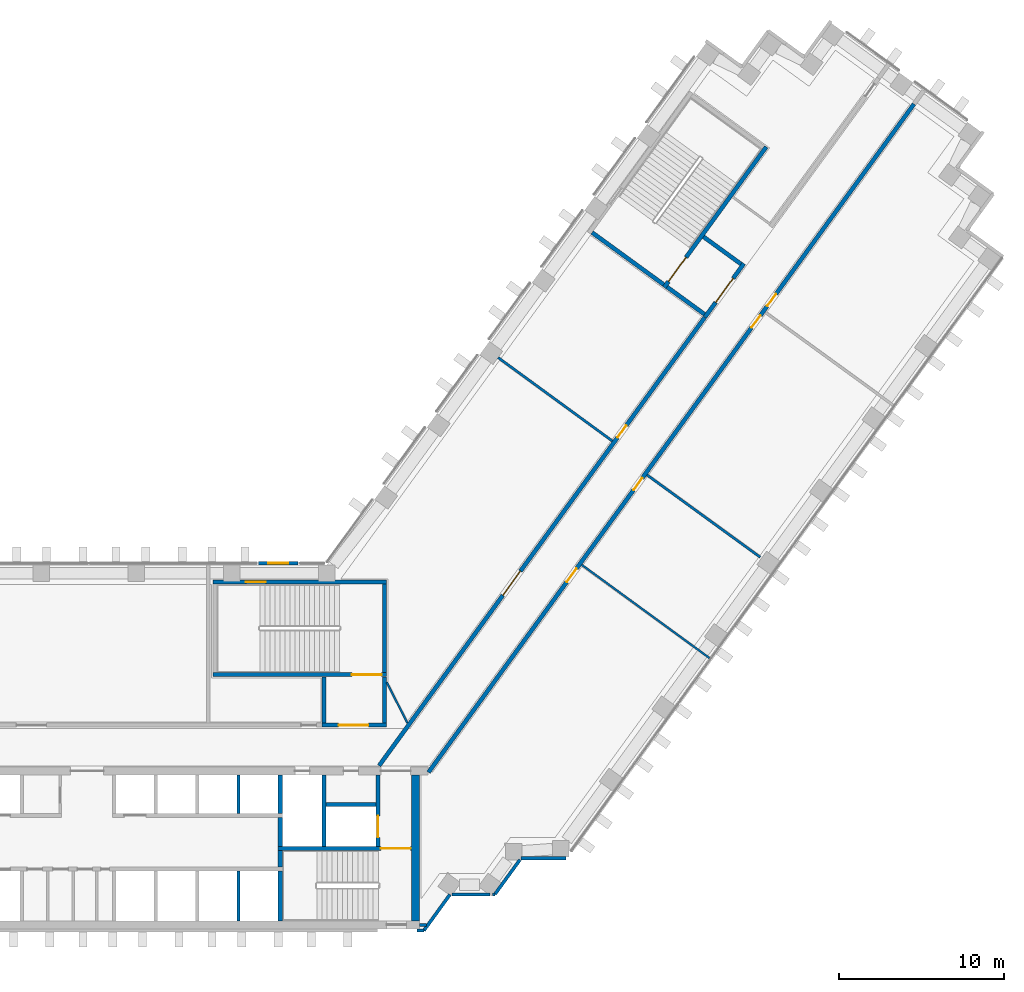
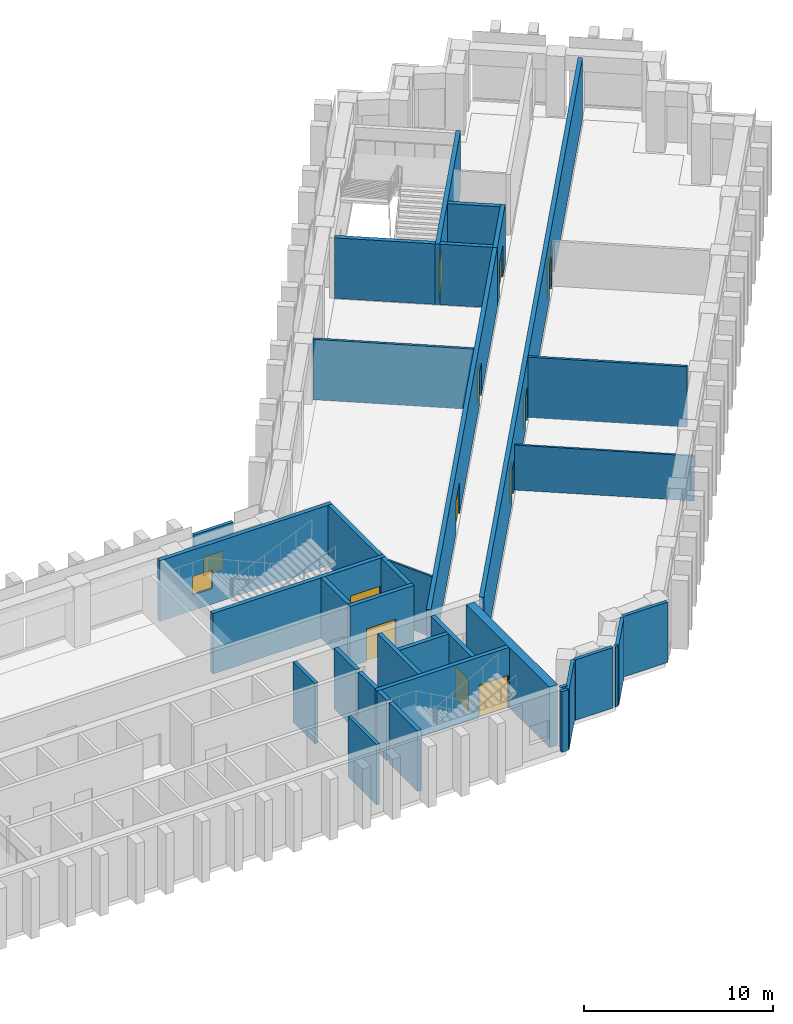
# One storey, part 9 of 14: 36 walls, 12 doors, 2 windows, 14 openings.
"""IFC4 building model written with IfcOpenShell, lengths in metres."""

from ifc_helpers import new_model, si_unit, direction, frame, frame_2d, origin, place, context, subcontext, project, spatial, rectangle, extrude, material, layer, layer_set, type_object, element, fill, save


model = new_model("IFC4")

# Units and contexts
model_context = context("Model", 3, precision=1e-05, world=origin(), true_north=direction((0.0, 1.0)))
body_context = subcontext(model_context, "Body", "Model", "MODEL_VIEW")
ifc_project = project(units=[si_unit("LENGTHUNIT", "METRE"), si_unit("AREAUNIT", "SQUARE_METRE"), si_unit("VOLUMEUNIT", "CUBIC_METRE"), si_unit("PLANEANGLEUNIT", "RADIAN"), si_unit("MASSUNIT", "GRAM", prefix="KILO")], contexts=[model_context])

# Site, building, storey
site_placement = place(None, origin())
site = spatial("IfcSite", under=ifc_project, at=site_placement, CompositionType="ELEMENT")
building_placement = place(site_placement, origin())
building = spatial("IfcBuilding", under=site, at=building_placement, Name="Quipu Civic Tower", CompositionType="ELEMENT")
storey_placement = place(building_placement, frame((0.0, 0.0, 20.5)))
storey = spatial("IfcBuildingStorey", under=building, at=storey_placement, Name="L04", CompositionType="ELEMENT", Elevation=20.5)

# Walls
ifc_material_1 = material(Name="Double gypsum plasterboard with mineral wool")
ifc_layer_1 = layer(ifc_material_1, 0.14990234375)
ifc_layer_set_1 = layer_set([ifc_layer_1], Name="Double gypsum plasterboard with mineral wool")
wall_type_1 = type_object("IfcWallType", Name="Acoustic partition 150 plasterboard", PredefinedType="PARTITIONING", material=ifc_layer_set_1)
wall_1_placement = place(storey_placement, frame((40.5732421875, 11.473876953125, 0.0), z_axis=(0.0, 0.0, 1.0), x_axis=(-0.808992136407, 0.587819464829, 0.0)))
element("IfcWall", 1, at=wall_1_placement, inside=storey, type_object=wall_type_1, Name="Partition P02", PredefinedType="PARTITIONING", context=body_context, shape_type="SweptSolid", body=[
    extrude(rectangle(XDim=8.449951171875, YDim=0.14990234375, at=frame_2d((4.22509765625, 0.0))), origin(), (0.0, 0.0, 1.0), 3.89990234375),
])
wall_2_placement = place(storey_placement, frame((24.741943359375, 23.5322265625, 0.0), z_axis=(0.0, 0.0, 1.0), x_axis=(0.80760412282, -0.589725004391, 0.0)))
element("IfcWall", 2, at=wall_2_placement, inside=storey, type_object=wall_type_1, Name="Partition P06", PredefinedType="PARTITIONING", context=body_context, shape_type="SweptSolid", body=[
    extrude(rectangle(XDim=8.545166015625, YDim=0.14990234375, at=frame_2d((4.2724609375, 0.0))), origin(), (0.0, 0.0, 1.0), 3.89990234375),
])
ifc_material_2 = material(Name="Concrete C70/85", Category="concrete")
ifc_layer_2 = layer(ifc_material_2, 0.25)
ifc_layer_set_2 = layer_set([ifc_layer_2], Name="Concrete C70/85")
wall_type_2 = type_object("IfcWallType", Name="Core wall 250", PredefinedType="SHEAR", material=ifc_layer_set_2)
wall_3_placement = place(storey_placement, frame((11.574951171875, -10.5, 0.0), z_axis=(0.0, 0.0, 1.0), x_axis=(0.0, 1.0, 0.0)))
element("IfcWall", 3, at=wall_3_placement, inside=storey, type_object=wall_type_2, Name="Core wall", PredefinedType="SHEAR", context=body_context, shape_type="SweptSolid", body=[
    extrude(rectangle(XDim=3.0, YDim=0.25, at=frame_2d((1.5, 0.0))), origin(), (0.0, 0.0, 1.0), 3.89990234375),
])
wall_4_placement = place(storey_placement, frame((11.574951171875, -7.25, 0.0), z_axis=(0.0, 0.0, 1.0), x_axis=(0.0, 1.0, 0.0)))
element("IfcWall", 4, at=wall_4_placement, inside=storey, type_object=wall_type_2, Name="Core wall", PredefinedType="SHEAR", context=body_context, shape_type="SweptSolid", body=[
    extrude(rectangle(XDim=1.0, YDim=0.25, at=frame_2d((0.5, 0.0))), origin(), (0.0, 0.0, 1.0), 3.89990234375),
])

# Wall, opening, door
wall_5_placement = place(storey_placement, frame((19.5, -6.125, 0.0), z_axis=(0.0, 0.0, 1.0), x_axis=(-1.0, 0.0, 0.0)))
wall_5 = element("IfcWall", 5, at=wall_5_placement, inside=storey, type_object=wall_type_2, Name="Core wall", PredefinedType="SHEAR", context=body_context, shape_type="SweptSolid", body=[
    extrude(rectangle(XDim=8.050048828125, YDim=0.25, at=frame_2d((4.02490234375, 0.0))), origin(), (0.0, 0.0, 1.0), 3.89990234375),
])
opening_1_placement = place(wall_5_placement, frame((0.050048828125, 0.0, 0.0)))
opening_1 = element("IfcOpeningElement", 6, at=opening_1_placement, cuts=wall_5, Name="Opening CD-06", PredefinedType="OPENING", context=body_context, shape_type="SweptSolid", body=[
    extrude(rectangle(XDim=1.800048828125, YDim=2.10009765625, at=frame_2d((0.89990234375, 1.050048828125))), frame((0.0, 0.135009765625, 0.0), z_axis=(0.0, -1.0, 0.0), x_axis=(1.0, 0.0, 0.0)), (0.0, 0.0, 1.0), 0.27001953125),
])
ifc_material_3 = material(Name="Fire rated steel door", Category="steel")
door_type_1 = type_object("IfcDoorType", Name="Fire door FD90 double 1800 x 2100", OperationType="NOTDEFINED", PredefinedType="DOOR", material=ifc_material_3)
door_1_placement = place(opening_1_placement, origin())
door_1 = element("IfcDoor", 7, at=door_1_placement, inside=storey, type_object=door_type_1, Name="Door", OperationType="DOUBLE_DOOR_SINGLE_SWING", OverallHeight=2.10009765625, OverallWidth=1.800048828125, PredefinedType="DOOR", context=body_context, shape_type="SweptSolid", body=[
    extrude(rectangle(XDim=1.800048828125, YDim=2.10009765625, at=frame_2d((0.89990234375, 1.050048828125))), frame((0.0, 0.02490234375, 0.0), z_axis=(0.0, -1.0, 0.0), x_axis=(1.0, 0.0, 0.0)), (0.0, 0.0, 1.0), 0.050048828125),
])
fill(opening_1, door_1)

# Walls
wall_6_placement = place(storey_placement, frame((11.574951171875, -6.0, 0.0), z_axis=(0.0, 0.0, 1.0), x_axis=(0.0, 1.0, 0.0)))
element("IfcWall", 8, at=wall_6_placement, inside=storey, type_object=wall_type_2, Name="Core wall", PredefinedType="SHEAR", context=body_context, shape_type="SweptSolid", body=[
    extrude(rectangle(XDim=1.75, YDim=0.25, at=frame_2d((0.875, 0.0))), origin(), (0.0, 0.0, 1.0), 3.89990234375),
])
wall_7_placement = place(storey_placement, frame((14.22509765625, -6.0, 0.0), z_axis=(0.0, 0.0, 1.0), x_axis=(0.0, 1.0, 0.0)))
element("IfcWall", 9, at=wall_7_placement, inside=storey, type_object=wall_type_2, Name="Core wall", PredefinedType="SHEAR", context=body_context, shape_type="SweptSolid", body=[
    extrude(rectangle(XDim=4.300048828125, YDim=0.25, at=frame_2d((2.14990234375, 0.0))), origin(), (0.0, 0.0, 1.0), 3.89990234375),
])

# Wall, opening, door
wall_8_placement = place(storey_placement, frame((17.47509765625, -6.0, 0.0), z_axis=(0.0, 0.0, 1.0), x_axis=(0.0, 1.0, 0.0)))
wall_8 = element("IfcWall", 10, at=wall_8_placement, inside=storey, type_object=wall_type_2, Name="Core wall", PredefinedType="SHEAR", context=body_context, shape_type="SweptSolid", body=[
    extrude(rectangle(XDim=4.300048828125, YDim=0.25, at=frame_2d((2.14990234375, 0.0))), origin(), (0.0, 0.0, 1.0), 3.89990234375),
])
opening_2_placement = place(wall_8_placement, frame((0.550048828125, 0.0, 0.0)))
opening_2 = element("IfcOpeningElement", 11, at=opening_2_placement, cuts=wall_8, Name="Opening LD-FF2", PredefinedType="OPENING", context=body_context, shape_type="SweptSolid", body=[
    extrude(rectangle(XDim=1.300048828125, YDim=2.10009765625, at=frame_2d((0.64990234375, 1.050048828125))), frame((0.0, 0.135009765625, 0.0), z_axis=(0.0, -1.0, 0.0), x_axis=(1.0, 0.0, 0.0)), (0.0, 0.0, 1.0), 0.27001953125),
])
ifc_material_4 = material(Name="Stainless steel", Category="steel")
door_type_2 = type_object("IfcDoorType", Name="Lift landing door 1300 x 2100", OperationType="DOUBLE_DOOR_SLIDING", PredefinedType="DOOR", material=ifc_material_4)
door_2_placement = place(opening_2_placement, origin())
door_2 = element("IfcDoor", 12, at=door_2_placement, inside=storey, type_object=door_type_2, Name="Landing door FF2", OperationType="DOUBLE_DOOR_SLIDING", OverallHeight=2.10009765625, OverallWidth=1.300048828125, PredefinedType="DOOR", context=body_context, shape_type="SweptSolid", body=[
    extrude(rectangle(XDim=1.300048828125, YDim=2.10009765625, at=frame_2d((0.64990234375, 1.050048828125))), frame((0.0, 0.02490234375, 0.0), z_axis=(0.0, -1.0, 0.0), x_axis=(1.0, 0.0, 0.0)), (0.0, 0.0, 1.0), 0.050048828125),
])
fill(opening_2, door_2)

# Walls
wall_9_placement = place(storey_placement, frame((11.574951171875, -4.0, 0.0), z_axis=(0.0, 0.0, 1.0), x_axis=(0.0, 1.0, 0.0)))
element("IfcWall", 13, at=wall_9_placement, inside=storey, type_object=wall_type_2, Name="Core wall", PredefinedType="SHEAR", context=body_context, shape_type="SweptSolid", body=[
    extrude(rectangle(XDim=2.300048828125, YDim=0.25, at=frame_2d((1.14990234375, 0.0))), origin(), (0.0, 0.0, 1.0), 3.89990234375),
])
wall_10_placement = place(storey_placement, frame((14.35009765625, -3.47509765625, 0.0), z_axis=(0.0, 0.0, 1.0), x_axis=(1.0, 0.0, 0.0)))
element("IfcWall", 14, at=wall_10_placement, inside=storey, type_object=wall_type_2, Name="Core wall", PredefinedType="SHEAR", context=body_context, shape_type="SweptSolid", body=[
    extrude(rectangle(XDim=3.0, YDim=0.25, at=frame_2d((1.5, 0.0))), origin(), (0.0, 0.0, 1.0), 3.89990234375),
])

# Wall, opening, door
wall_11_placement = place(storey_placement, frame((14.10009765625, 1.324951171875, 0.0), z_axis=(0.0, 0.0, 1.0), x_axis=(1.0, 0.0, 0.0)))
wall_11 = element("IfcWall", 15, at=wall_11_placement, inside=storey, type_object=wall_type_2, Name="Core wall", PredefinedType="SHEAR", context=body_context, shape_type="SweptSolid", body=[
    extrude(rectangle(XDim=3.89990234375, YDim=0.25, at=frame_2d((1.949951171875, 0.0))), origin(), (0.0, 0.0, 1.0), 3.89990234375),
])
opening_3_placement = place(wall_11_placement, frame((1.0, 0.0, 0.0)))
opening_3 = element("IfcOpeningElement", 16, at=opening_3_placement, cuts=wall_11, Name="Opening CD-18", PredefinedType="OPENING", context=body_context, shape_type="SweptSolid", body=[
    extrude(rectangle(XDim=1.800048828125, YDim=2.10009765625, at=frame_2d((0.89990234375, 1.050048828125))), frame((0.0, 0.135009765625, 0.0), z_axis=(0.0, -1.0, 0.0), x_axis=(1.0, 0.0, 0.0)), (0.0, 0.0, 1.0), 0.27001953125),
])
door_3_placement = place(opening_3_placement, origin())
door_3 = element("IfcDoor", 17, at=door_3_placement, inside=storey, type_object=door_type_1, Name="Lobby door", OperationType="DOUBLE_DOOR_SINGLE_SWING", OverallHeight=2.10009765625, OverallWidth=1.800048828125, PredefinedType="DOOR", context=body_context, shape_type="SweptSolid", body=[
    extrude(rectangle(XDim=1.800048828125, YDim=2.10009765625, at=frame_2d((0.89990234375, 1.050048828125))), frame((0.0, 0.02490234375, 0.0), z_axis=(0.0, -1.0, 0.0), x_axis=(1.0, 0.0, 0.0)), (0.0, 0.0, 1.0), 0.050048828125),
])
fill(opening_3, door_3)

# Walls
for number, where, z_axis, x_axis, name in (
    (18, (14.22509765625, 1.449951171875, 0.0), (0.0, 0.0, 1.0), (0.0, 1.0, 0.0), "Core wall"),
    (19, (17.875, 1.449951171875, 0.0), (0.0, 0.0, 1.0), (0.0, 1.0, 0.0), "Core wall"),
):
    element("IfcWall", number, at=place(storey_placement, frame(where, z_axis=z_axis, x_axis=x_axis)), inside=storey, type_object=wall_type_2, Name=name, PredefinedType="SHEAR", context=body_context, shape_type="SweptSolid", body=[
        extrude(rectangle(XDim=2.800048828125, YDim=0.25, at=frame_2d((1.39990234375, 0.0))), origin(), (0.0, 0.0, 1.0), 3.89990234375),
    ])

# Wall, opening, door
wall_12_placement = place(storey_placement, frame((7.5, 4.375, 0.0), z_axis=(0.0, 0.0, 1.0), x_axis=(1.0, 0.0, 0.0)))
wall_12 = element("IfcWall", 20, at=wall_12_placement, inside=storey, type_object=wall_type_2, Name="Core wall", PredefinedType="SHEAR", context=body_context, shape_type="SweptSolid", body=[
    extrude(rectangle(XDim=10.5, YDim=0.25, at=frame_2d((5.25, 0.0))), origin(), (0.0, 0.0, 1.0), 3.89990234375),
])
opening_4_placement = place(wall_12_placement, frame((8.39990234375, 0.0, 0.0)))
opening_4 = element("IfcOpeningElement", 21, at=opening_4_placement, cuts=wall_12, Name="Opening CD-19", PredefinedType="OPENING", context=body_context, shape_type="SweptSolid", body=[
    extrude(rectangle(XDim=1.800048828125, YDim=2.10009765625, at=frame_2d((0.89990234375, 1.050048828125))), frame((0.0, 0.135009765625, 0.0), z_axis=(0.0, -1.0, 0.0), x_axis=(1.0, 0.0, 0.0)), (0.0, 0.0, 1.0), 0.27001953125),
])
door_4_placement = place(opening_4_placement, origin())
door_4 = element("IfcDoor", 22, at=door_4_placement, inside=storey, type_object=door_type_1, Name="Door", OperationType="DOUBLE_DOOR_SINGLE_SWING", OverallHeight=2.10009765625, OverallWidth=1.800048828125, PredefinedType="DOOR", context=body_context, shape_type="SweptSolid", body=[
    extrude(rectangle(XDim=1.800048828125, YDim=2.10009765625, at=frame_2d((0.89990234375, 1.050048828125))), frame((0.0, 0.02490234375, 0.0), z_axis=(0.0, -1.0, 0.0), x_axis=(1.0, 0.0, 0.0)), (0.0, 0.0, 1.0), 0.050048828125),
])
fill(opening_4, door_4)

# Wall
wall_13_placement = place(storey_placement, frame((17.875, 4.5, 0.0), z_axis=(0.0, 0.0, 1.0), x_axis=(0.0, 1.0, 0.0)))
element("IfcWall", 23, at=wall_13_placement, inside=storey, type_object=wall_type_2, Name="Core wall", PredefinedType="SHEAR", context=body_context, shape_type="SweptSolid", body=[
    extrude(rectangle(XDim=5.35009765625, YDim=0.25, at=frame_2d((2.675048828125, 0.0))), origin(), (0.0, 0.0, 1.0), 3.89990234375),
])

# Wall, opening, window
wall_14_placement = place(storey_placement, frame((7.5, 9.97509765625, 0.0), z_axis=(0.0, 0.0, 1.0), x_axis=(1.0, 0.0, 0.0)))
wall_14 = element("IfcWall", 24, at=wall_14_placement, inside=storey, type_object=wall_type_2, Name="Core wall", PredefinedType="SHEAR", context=body_context, shape_type="SweptSolid", body=[
    extrude(rectangle(XDim=10.5, YDim=0.25, at=frame_2d((5.25, 0.0))), origin(), (0.0, 0.0, 1.0), 3.89990234375),
])
opening_5_placement = place(wall_14_placement, frame((2.0, 0.0, 1.0)))
opening_5 = element("IfcOpeningElement", 25, at=opening_5_placement, cuts=wall_14, Name="Opening SV-4", PredefinedType="OPENING", context=body_context, shape_type="SweptSolid", body=[
    extrude(rectangle(XDim=1.199951171875, YDim=1.199951171875, at=frame_2d((0.60009765625, 0.60009765625))), frame((0.0, 0.135009765625, 0.0), z_axis=(0.0, -1.0, 0.0), x_axis=(1.0, 0.0, 0.0)), (0.0, 0.0, 1.0), 0.27001953125),
])
ifc_material_5 = material(Name="Aluminium louvre", Category="aluminium")
window_type_1 = type_object("IfcWindowType", Name="Stair ventilation louvre 1200 x 1200", PartitioningType="SINGLE_PANEL", PredefinedType="WINDOW", material=ifc_material_5)
window_1_placement = place(opening_5_placement, origin())
window_1 = element("IfcWindow", 26, at=window_1_placement, inside=storey, type_object=window_type_1, Name="Stair ventilation opening", OverallHeight=1.199951171875, OverallWidth=1.199951171875, PartitioningType="SINGLE_PANEL", PredefinedType="WINDOW", context=body_context, shape_type="SweptSolid", body=[
    extrude(rectangle(XDim=1.199951171875, YDim=1.199951171875, at=frame_2d((0.60009765625, 0.60009765625))), frame((0.0, 0.030029296875, 0.0), z_axis=(0.0, -1.0, 0.0), x_axis=(1.0, 0.0, 0.0)), (0.0, 0.0, 1.0), 0.06005859375),
])
fill(opening_5, window_1)

# Wall, opening, door
wall_15_placement = place(storey_placement, frame((37.237548828125, 25.979736328125, 0.0), z_axis=(0.0, 0.0, 1.0), x_axis=(0.587772420479, 0.809026317077, 0.0)))
wall_15 = element("IfcWall", 27, at=wall_15_placement, inside=storey, type_object=wall_type_2, Name="Core wall", PredefinedType="SHEAR", context=body_context, shape_type="SweptSolid", body=[
    extrude(rectangle(XDim=4.0, YDim=0.25, at=frame_2d((2.0, 0.0))), origin(), (0.0, 0.0, 1.0), 3.89990234375),
])
opening_6_placement = place(wall_15_placement, frame((1.10009765625, 0.0, 0.0)))
opening_6 = element("IfcOpeningElement", 28, at=opening_6_placement, cuts=wall_15, Name="Opening CD-22", PredefinedType="OPENING", context=body_context, shape_type="SweptSolid", body=[
    extrude(rectangle(XDim=1.800048828125, YDim=2.10009765625, at=frame_2d((0.89990234375, 1.050048828125))), frame((0.0, 0.135009765625, 0.0), z_axis=(0.0, -1.0, 0.0), x_axis=(1.0, 0.0, 0.0)), (0.0, 0.0, 1.0), 0.27001953125),
])
door_5_placement = place(opening_6_placement, origin())
door_5 = element("IfcDoor", 29, at=door_5_placement, inside=storey, type_object=door_type_1, Name="Lobby door", OperationType="DOUBLE_DOOR_SINGLE_SWING", OverallHeight=2.10009765625, OverallWidth=1.800048828125, PredefinedType="DOOR", context=body_context, shape_type="SweptSolid", body=[
    extrude(rectangle(XDim=1.800048828125, YDim=2.10009765625, at=frame_2d((0.89990234375, 1.050048828125))), frame((0.0, 0.02490234375, 0.0), z_axis=(0.0, -1.0, 0.0), x_axis=(1.0, 0.0, 0.0)), (0.0, 0.0, 1.0), 0.050048828125),
])
fill(opening_6, door_5)

# Walls
for number, where, z_axis, x_axis, name in (
    (30, (37.2099609375, 26.154296875, 0.0), (0.0, 0.0, 1.0), (-0.809041377956, 0.587751689708, 0.0), "Core wall"),
    (31, (39.4140625, 29.18798828125, 0.0), (0.0, 0.0, 1.0), (-0.808969789945, 0.58785021813, 0.0), "Core wall"),
):
    element("IfcWall", number, at=place(storey_placement, frame(where, z_axis=z_axis, x_axis=x_axis)), inside=storey, type_object=wall_type_2, Name=name, PredefinedType="SHEAR", context=body_context, shape_type="SweptSolid", body=[
        extrude(rectangle(XDim=2.800048828125, YDim=0.25, at=frame_2d((1.39990234375, 0.0))), origin(), (0.0, 0.0, 1.0), 3.89990234375),
    ])

# Wall, opening, door
wall_16_placement = place(storey_placement, frame((34.77001953125, 27.7724609375, 0.0), z_axis=(0.0, 0.0, 1.0), x_axis=(0.587795589702, 0.809009483706, 0.0)))
wall_16 = element("IfcWall", 32, at=wall_16_placement, inside=storey, type_object=wall_type_2, Name="Core wall", PredefinedType="SHEAR", context=body_context, shape_type="SweptSolid", body=[
    extrude(rectangle(XDim=10.5, YDim=0.25, at=frame_2d((5.25, 0.0))), origin(), (0.0, 0.0, 1.0), 3.89990234375),
])
opening_7_placement = place(wall_16_placement, frame((0.449951171875, 0.0, 0.0)))
opening_7 = element("IfcOpeningElement", 33, at=opening_7_placement, cuts=wall_16, Name="Opening CD-23", PredefinedType="OPENING", context=body_context, shape_type="SweptSolid", body=[
    extrude(rectangle(XDim=1.800048828125, YDim=2.10009765625, at=frame_2d((0.89990234375, 1.050048828125))), frame((0.0, 0.135009765625, 0.0), z_axis=(0.0, -1.0, 0.0), x_axis=(1.0, 0.0, 0.0)), (0.0, 0.0, 1.0), 0.27001953125),
])
door_6_placement = place(opening_7_placement, origin())
door_6 = element("IfcDoor", 34, at=door_6_placement, inside=storey, type_object=door_type_1, Name="Door", OperationType="DOUBLE_DOOR_SINGLE_SWING", OverallHeight=2.10009765625, OverallWidth=1.800048828125, PredefinedType="DOOR", context=body_context, shape_type="SweptSolid", body=[
    extrude(rectangle(XDim=1.800048828125, YDim=2.10009765625, at=frame_2d((0.89990234375, 1.050048828125))), frame((0.0, 0.02490234375, 0.0), z_axis=(0.0, -1.0, 0.0), x_axis=(1.0, 0.0, 0.0)), (0.0, 0.0, 1.0), 0.050048828125),
])
fill(opening_7, door_6)

# Walls
wall_17_placement = place(storey_placement, frame((34.742431640625, 27.947021484375, 0.0), z_axis=(0.0, 0.0, 1.0), x_axis=(-0.8089984606, 0.587810760999, 0.0)))
element("IfcWall", 35, at=wall_17_placement, inside=storey, type_object=wall_type_2, Name="Core wall", PredefinedType="SHEAR", context=body_context, shape_type="SweptSolid", body=[
    extrude(rectangle(XDim=5.35009765625, YDim=0.25, at=frame_2d((2.675048828125, 0.0))), origin(), (0.0, 0.0, 1.0), 3.89990234375),
])
ifc_material_6 = material(Name="Concrete C70/85", Category="concrete")
ifc_layer_3 = layer(ifc_material_6, 0.5)
ifc_layer_set_3 = layer_set([ifc_layer_3], Name="Concrete C70/85")
wall_type_3 = type_object("IfcWallType", Name="Core wall 500", PredefinedType="SHEAR", material=ifc_layer_set_3)
wall_18_placement = place(storey_placement, frame((19.75, -10.5, 0.0), z_axis=(0.0, 0.0, 1.0), x_axis=(0.0, 1.0, 0.0)))
element("IfcWall", 36, at=wall_18_placement, inside=storey, type_object=wall_type_3, Name="Core wall", PredefinedType="SHEAR", context=body_context, shape_type="SweptSolid", body=[
    extrude(rectangle(XDim=8.800048828125, YDim=0.5, at=frame_2d((4.39990234375, 0.0))), origin(), (0.0, 0.0, 1.0), 3.89990234375),
])

# Wall, openings, doors
ifc_material_7 = material(Name="Concrete C50/60", Category="concrete")
ifc_layer_4 = layer(ifc_material_7, 0.25)
ifc_layer_set_4 = layer_set([ifc_layer_4], Name="Concrete C50/60")
wall_type_4 = type_object("IfcWallType", Name="Corridor wall 250 concrete", PredefinedType="SOLIDWALL", material=ifc_layer_set_4)
wall_19_placement = place(storey_placement, frame((49.86865234375, 38.8564453125, 0.0), z_axis=(0.0, 0.0, 1.0), x_axis=(-0.587784522481, -0.809017524614, 0.0)))
wall_19 = element("IfcWall", 37, at=wall_19_placement, inside=storey, type_object=wall_type_4, Name="Corridor wall C01", PredefinedType="SOLIDWALL", context=body_context, shape_type="SweptSolid", body=[
    extrude(rectangle(XDim=49.912353515625, YDim=0.25, at=frame_2d((24.9560546875, 0.0))), origin(), (0.0, 0.0, 1.0), 3.89990234375),
])
opening_8_placement = place(wall_19_placement, frame((27.946044921875, 0.0, 0.0)))
opening_8 = element("IfcOpeningElement", 38, at=opening_8_placement, cuts=wall_19, Name="Opening D005", PredefinedType="OPENING", context=body_context, shape_type="SweptSolid", body=[
    extrude(rectangle(XDim=0.89990234375, YDim=2.10009765625, at=frame_2d((0.449951171875, 1.050048828125))), frame((0.0, 0.135009765625, 0.0), z_axis=(0.0, -1.0, 0.0), x_axis=(1.0, 0.0, 0.0)), (0.0, 0.0, 1.0), 0.27001953125),
])
opening_9_placement = place(wall_19_placement, frame((34.696533203125, 0.0, 0.0)))
opening_9 = element("IfcOpeningElement", 39, at=opening_9_placement, cuts=wall_19, Name="Opening D004", PredefinedType="OPENING", context=body_context, shape_type="SweptSolid", body=[
    extrude(rectangle(XDim=1.0, YDim=2.10009765625, at=frame_2d((0.5, 1.050048828125))), frame((0.0, 0.135009765625, 0.0), z_axis=(0.0, -1.0, 0.0), x_axis=(1.0, 0.0, 0.0)), (0.0, 0.0, 1.0), 0.27001953125),
])
opening_10_placement = place(wall_19_placement, frame((15.796875, 0.0, 0.0)))
opening_10 = element("IfcOpeningElement", 40, at=opening_10_placement, cuts=wall_19, Name="Opening D006", PredefinedType="OPENING", context=body_context, shape_type="SweptSolid", body=[
    extrude(rectangle(XDim=0.89990234375, YDim=2.10009765625, at=frame_2d((0.449951171875, 1.050048828125))), frame((0.0, 0.135009765625, 0.0), z_axis=(0.0, -1.0, 0.0), x_axis=(1.0, 0.0, 0.0)), (0.0, 0.0, 1.0), 0.27001953125),
])
opening_11_placement = place(wall_19_placement, frame((14.196044921875, 0.0, 0.0)))
opening_11 = element("IfcOpeningElement", 41, at=opening_11_placement, cuts=wall_19, Name="Opening D007", PredefinedType="OPENING", context=body_context, shape_type="SweptSolid", body=[
    extrude(rectangle(XDim=0.89990234375, YDim=2.10009765625, at=frame_2d((0.449951171875, 1.050048828125))), frame((0.0, 0.135009765625, 0.0), z_axis=(0.0, -1.0, 0.0), x_axis=(1.0, 0.0, 0.0)), (0.0, 0.0, 1.0), 0.27001953125),
])
ifc_material_8 = material(Name="Fire rated timber door set with metal frame", Category="wood")
door_type_3 = type_object("IfcDoorType", Name="Single door 1000 x 2100 FD60", OperationType="NOTDEFINED", PredefinedType="DOOR", material=ifc_material_8)
door_7_placement = place(opening_9_placement, origin())
door_7 = element("IfcDoor", 42, at=door_7_placement, inside=storey, type_object=door_type_3, Name="Door D004", OperationType="SINGLE_SWING_LEFT", OverallHeight=2.10009765625, OverallWidth=1.0, PredefinedType="DOOR", context=body_context, shape_type="SweptSolid", body=[
    extrude(rectangle(XDim=1.0, YDim=2.10009765625, at=frame_2d((0.5, 1.050048828125))), frame((0.0, 0.02490234375, 0.0), z_axis=(0.0, -1.0, 0.0), x_axis=(1.0, 0.0, 0.0)), (0.0, 0.0, 1.0), 0.050048828125),
])
fill(opening_9, door_7)
ifc_material_9 = material(Name="Fire rated timber door set with metal frame", Category="wood")
door_type_4 = type_object("IfcDoorType", Name="Single door 900 x 2100 FD60", OperationType="NOTDEFINED", PredefinedType="DOOR", material=ifc_material_9)
door_8_placement = place(opening_8_placement, origin())
door_8 = element("IfcDoor", 43, at=door_8_placement, inside=storey, type_object=door_type_4, Name="Door D005", OperationType="SINGLE_SWING_LEFT", OverallHeight=2.10009765625, OverallWidth=0.89990234375, PredefinedType="DOOR", context=body_context, shape_type="SweptSolid", body=[
    extrude(rectangle(XDim=0.89990234375, YDim=2.10009765625, at=frame_2d((0.449951171875, 1.050048828125))), frame((0.0, 0.02490234375, 0.0), z_axis=(0.0, -1.0, 0.0), x_axis=(1.0, 0.0, 0.0)), (0.0, 0.0, 1.0), 0.050048828125),
])
fill(opening_8, door_8)
door_9_placement = place(opening_10_placement, origin())
door_9 = element("IfcDoor", 44, at=door_9_placement, inside=storey, type_object=door_type_4, Name="Door D006", OperationType="SINGLE_SWING_LEFT", OverallHeight=2.10009765625, OverallWidth=0.89990234375, PredefinedType="DOOR", context=body_context, shape_type="SweptSolid", body=[
    extrude(rectangle(XDim=0.89990234375, YDim=2.10009765625, at=frame_2d((0.449951171875, 1.050048828125))), frame((0.0, 0.02490234375, 0.0), z_axis=(0.0, -1.0, 0.0), x_axis=(1.0, 0.0, 0.0)), (0.0, 0.0, 1.0), 0.050048828125),
])
fill(opening_10, door_9)
door_10_placement = place(opening_11_placement, origin())
door_10 = element("IfcDoor", 45, at=door_10_placement, inside=storey, type_object=door_type_4, Name="Door D007", OperationType="SINGLE_SWING_RIGHT", OverallHeight=2.10009765625, OverallWidth=0.89990234375, PredefinedType="DOOR", context=body_context, shape_type="SweptSolid", body=[
    extrude(rectangle(XDim=0.89990234375, YDim=2.10009765625, at=frame_2d((0.449951171875, 1.050048828125))), frame((0.0, 0.02490234375, 0.0), z_axis=(0.0, -1.0, 0.0), x_axis=(1.0, 0.0, 0.0)), (0.0, 0.0, 1.0), 0.050048828125),
])
fill(opening_11, door_10)

wall_20_placement = place(storey_placement, frame((17.544921875, -1.124755859375, 0.0), z_axis=(0.0, 0.0, 1.0), x_axis=(0.587786323093, 0.809016216391, 0.0)))
wall_20 = element("IfcWall", 46, at=wall_20_placement, inside=storey, type_object=wall_type_4, Name="Corridor wall C06", PredefinedType="SOLIDWALL", context=body_context, shape_type="SweptSolid", body=[
    extrude(rectangle(XDim=33.4931640625, YDim=0.25, at=frame_2d((16.74658203125, 0.0))), origin(), (0.0, 0.0, 1.0), 3.89990234375),
])
opening_12_placement = place(wall_20_placement, frame((24.508056640625, 0.0, 0.0)))
opening_12 = element("IfcOpeningElement", 47, at=opening_12_placement, cuts=wall_20, Name="Opening D002", PredefinedType="OPENING", context=body_context, shape_type="SweptSolid", body=[
    extrude(rectangle(XDim=0.89990234375, YDim=2.10009765625, at=frame_2d((0.449951171875, 1.050048828125))), frame((0.0, 0.135009765625, 0.0), z_axis=(0.0, -1.0, 0.0), x_axis=(1.0, 0.0, 0.0)), (0.0, 0.0, 1.0), 0.27001953125),
])
opening_13_placement = place(wall_20_placement, frame((12.724365234375, 0.0, 0.0)))
opening_13 = element("IfcOpeningElement", 48, at=opening_13_placement, cuts=wall_20, Name="Opening D001", PredefinedType="OPENING", context=body_context, shape_type="SweptSolid", body=[
    extrude(rectangle(XDim=1.800048828125, YDim=2.10009765625, at=frame_2d((0.89990234375, 1.050048828125))), frame((0.0, 0.135009765625, 0.0), z_axis=(0.0, -1.0, 0.0), x_axis=(1.0, 0.0, 0.0)), (0.0, 0.0, 1.0), 0.27001953125),
])
ifc_material_10 = material(Name="Fire rated timber door set with metal frame", Category="wood")
door_type_5 = type_object("IfcDoorType", Name="Double door 1800 x 2100 FD60", OperationType="DOUBLE_DOOR_SINGLE_SWING", PredefinedType="DOOR", material=ifc_material_10)
door_11_placement = place(opening_13_placement, origin())
door_11 = element("IfcDoor", 49, at=door_11_placement, inside=storey, type_object=door_type_5, Name="Door D001", OperationType="DOUBLE_DOOR_SINGLE_SWING", OverallHeight=2.10009765625, OverallWidth=1.800048828125, PredefinedType="DOOR", context=body_context, shape_type="SweptSolid", body=[
    extrude(rectangle(XDim=1.800048828125, YDim=2.10009765625, at=frame_2d((0.89990234375, 1.050048828125))), frame((0.0, 0.02490234375, 0.0), z_axis=(0.0, -1.0, 0.0), x_axis=(1.0, 0.0, 0.0)), (0.0, 0.0, 1.0), 0.050048828125),
])
fill(opening_13, door_11)
door_12_placement = place(opening_12_placement, origin())
door_12 = element("IfcDoor", 50, at=door_12_placement, inside=storey, type_object=door_type_4, Name="Door D002", OperationType="SINGLE_SWING_LEFT", OverallHeight=2.10009765625, OverallWidth=0.89990234375, PredefinedType="DOOR", context=body_context, shape_type="SweptSolid", body=[
    extrude(rectangle(XDim=0.89990234375, YDim=2.10009765625, at=frame_2d((0.449951171875, 1.050048828125))), frame((0.0, 0.02490234375, 0.0), z_axis=(0.0, -1.0, 0.0), x_axis=(1.0, 0.0, 0.0)), (0.0, 0.0, 1.0), 0.050048828125),
])
fill(opening_12, door_12)

# Walls
ifc_material_11 = material(Name="Gypsum plasterboard on light gauge framing")
ifc_layer_5 = layer(ifc_material_11, 0.1201171875)
ifc_layer_set_5 = layer_set([ifc_layer_5], Name="Gypsum plasterboard on light gauge framing")
wall_type_5 = type_object("IfcWallType", Name="Partition 120 plasterboard", PredefinedType="PARTITIONING", material=ifc_layer_set_5)
wall_21_placement = place(storey_placement, frame((29.792724609375, 11.01220703125, 0.0), z_axis=(0.0, 0.0, 1.0), x_axis=(0.807645841498, -0.589667868135, 0.0)))
element("IfcWall", 51, at=wall_21_placement, inside=storey, type_object=wall_type_5, Name="Partition P01", PredefinedType="PARTITIONING", context=body_context, shape_type="SweptSolid", body=[
    extrude(rectangle(XDim=9.550537109375, YDim=0.1201171875, at=frame_2d((4.775390625, 0.0))), origin(), (0.0, 0.0, 1.0), 2.89990234375),
])
wall_22_placement = place(storey_placement, frame((18.0, 3.925048828125, 0.0), z_axis=(0.0, 0.0, 1.0), x_axis=(0.453950796792, -0.891026752736, 0.0)))
element("IfcWall", 52, at=wall_22_placement, inside=storey, type_object=wall_type_5, Name="Partition P15", PredefinedType="PARTITIONING", context=body_context, shape_type="SweptSolid", body=[
    extrude(rectangle(XDim=2.77783203125, YDim=0.1201171875, at=frame_2d((1.388916015625, 0.0))), origin(), (0.0, 0.0, 1.0), 3.89990234375),
])
ifc_material_12 = material(Name="Precast concrete C40/50", Category="concrete")
wall_type_6 = type_object("IfcWallType", Name="Precast cladding wall", PredefinedType="SOLIDWALL", material=ifc_material_12)
wall_23_placement = place(storey_placement, frame((19.85009765625, -11.087890625, 0.0), z_axis=(0.0, 0.0, 1.0), x_axis=(1.0, 0.0, 0.0)))
element("IfcWall", 53, at=wall_23_placement, inside=storey, type_object=wall_type_6, Name="Precast cladding wall L04 P27", PredefinedType="SOLIDWALL", context=body_context, shape_type="SweptSolid", body=[
    extrude(rectangle(XDim=0.40576171875, YDim=0.199951171875, at=frame_2d((0.202880859375, 0.0))), origin(), (0.0, 0.0, 1.0), 3.89990234375),
])
wall_24_placement = place(storey_placement, frame((20.253173828125, -11.083251953125, 0.0), z_axis=(0.0, 0.0, 1.0), x_axis=(0.587766567315, 0.809030569476, 0.0)))
element("IfcWall", 54, at=wall_24_placement, inside=storey, type_object=wall_type_6, Name="Precast cladding wall L04 P28", PredefinedType="SOLIDWALL", context=body_context, shape_type="SweptSolid", body=[
    extrude(rectangle(XDim=2.687744140625, YDim=0.199951171875, at=frame_2d((1.34375, 0.0))), origin(), (0.0, 0.0, 1.0), 3.89990234375),
])
wall_25_placement = place(storey_placement, frame((21.943359375, -8.90380859375, 0.0), z_axis=(0.0, 0.0, 1.0), x_axis=(1.0, 0.0, 0.0)))
element("IfcWall", 55, at=wall_25_placement, inside=storey, type_object=wall_type_6, Name="Precast cladding wall L04 P29", PredefinedType="SOLIDWALL", context=body_context, shape_type="SweptSolid", body=[
    extrude(rectangle(XDim=2.2978515625, YDim=0.199951171875, at=frame_2d((1.14892578125, 0.0))), origin(), (0.0, 0.0, 1.0), 3.89990234375),
])
wall_26_placement = place(storey_placement, frame((24.38671875, -8.90380859375, 0.0), z_axis=(0.0, 0.0, 1.0), x_axis=(1.0, 0.0, 0.0)))
element("IfcWall", 56, at=wall_26_placement, inside=storey, type_object=wall_type_6, Name="Precast cladding wall L04 P30", PredefinedType="SOLIDWALL", context=body_context, shape_type="SweptSolid", body=[
    extrude(rectangle(XDim=0.156005859375, YDim=0.199951171875, at=frame_2d((0.078125, 0.0))), origin(), (0.0, 0.0, 1.0), 3.89990234375),
])
wall_27_placement = place(storey_placement, frame((24.540283203125, -8.89892578125, 0.0), z_axis=(0.0, 0.0, 1.0), x_axis=(0.587700286833, 0.809078718578, 0.0)))
element("IfcWall", 57, at=wall_27_placement, inside=storey, type_object=wall_type_6, Name="Precast cladding wall L04 P31", PredefinedType="SOLIDWALL", context=body_context, shape_type="SweptSolid", body=[
    extrude(rectangle(XDim=2.587158203125, YDim=0.199951171875, at=frame_2d((1.29345703125, 0.0))), origin(), (0.0, 0.0, 1.0), 3.89990234375),
])
wall_28_placement = place(storey_placement, frame((26.1298828125, -6.71923828125, 0.0), z_axis=(0.0, 0.0, 1.0), x_axis=(1.0, 0.0, 0.0)))
element("IfcWall", 58, at=wall_28_placement, inside=storey, type_object=wall_type_6, Name="Precast cladding wall L04 P32", PredefinedType="SOLIDWALL", context=body_context, shape_type="SweptSolid", body=[
    extrude(rectangle(XDim=2.699951171875, YDim=0.199951171875, at=frame_2d((1.35009765625, 0.0))), origin(), (0.0, 0.0, 1.0), 3.89990234375),
])

# Wall, opening, window
wall_29_placement = place(storey_placement, frame((12.655029296875, 11.10009765625, 0.0), z_axis=(0.0, 0.0, 1.0), x_axis=(-1.0, 0.0, 0.0)))
wall_29 = element("IfcWall", 59, at=wall_29_placement, inside=storey, type_object=wall_type_6, Name="Vent surround SF-L02-2", PredefinedType="SOLIDWALL", context=body_context, shape_type="SweptSolid", body=[
    extrude(rectangle(XDim=2.3916015625, YDim=0.199951171875, at=frame_2d((1.19580078125, 0.0))), origin(), (0.0, 0.0, 1.0), 3.89990234375),
])
opening_14_placement = place(wall_29_placement, frame((0.595703125, 0.0, 1.0)))
opening_14 = element("IfcOpeningElement", 60, at=opening_14_placement, cuts=wall_29, Name="Opening SF-L02-2", PredefinedType="OPENING", context=body_context, shape_type="SweptSolid", body=[
    extrude(rectangle(XDim=1.199951171875, YDim=1.199951171875, at=frame_2d((0.60009765625, 0.60009765625))), frame((0.0, 0.10986328125, 0.0), z_axis=(0.0, -1.0, 0.0), x_axis=(1.0, 0.0, 0.0)), (0.0, 0.0, 1.0), 0.219970703125),
])
ifc_material_13 = material(Name="Anodised aluminium louvre", Category="aluminium")
window_type_2 = type_object("IfcWindowType", Name="Stair vent louvre window P3", PartitioningType="SINGLE_PANEL", PredefinedType="WINDOW", material=ifc_material_13)
window_2_placement = place(opening_14_placement, origin())
window_2 = element("IfcWindow", 61, at=window_2_placement, inside=storey, type_object=window_type_2, Name="Stair vent louvre SF-L02-2", OverallHeight=1.199951171875, OverallWidth=1.199951171875, PartitioningType="SINGLE_PANEL", PredefinedType="WINDOW", context=body_context, shape_type="SweptSolid", body=[
    extrude(rectangle(XDim=1.199951171875, YDim=1.199951171875, at=frame_2d((0.60009765625, 0.60009765625))), frame((0.0, 0.030029296875, 0.0), z_axis=(0.0, -1.0, 0.0), x_axis=(1.0, 0.0, 0.0)), (0.0, 0.0, 1.0), 0.06005859375),
])
fill(opening_14, window_2)

# Walls
wall_30_placement = place(storey_placement, frame((19.97998046875, -10.75, 0.0), z_axis=(0.0, 0.0, 1.0), x_axis=(1.0, 0.0, 0.0)))
element("IfcWall", 62, at=wall_30_placement, inside=storey, type_object=wall_type_6, Name="Precast cladding return L04 E", PredefinedType="SOLIDWALL", context=body_context, shape_type="SweptSolid", body=[
    extrude(rectangle(XDim=0.41650390625, YDim=0.199951171875, at=frame_2d((0.208251953125, 0.0))), origin(), (0.0, 0.0, 1.0), 3.89990234375),
])
ifc_material_14 = material(Name="Concrete C40/50", Category="concrete")
ifc_layer_6 = layer(ifc_material_14, 0.199951171875)
ifc_layer_set_6 = layer_set([ifc_layer_6], Name="Concrete C40/50")
wall_type_7 = type_object("IfcWallType", Name="Shaft wall 200", PredefinedType="SOLIDWALL", material=ifc_layer_set_6)
wall_31_placement = place(storey_placement, frame((9.050048828125, -10.5, 0.0), z_axis=(0.0, 0.0, 1.0), x_axis=(0.0, 1.0, 0.0)))
element("IfcWall", 63, at=wall_31_placement, inside=storey, type_object=wall_type_7, Name="Shaft wall", PredefinedType="SOLIDWALL", context=body_context, shape_type="SweptSolid", body=[
    extrude(rectangle(XDim=3.0, YDim=0.199951171875, at=frame_2d((1.5, 0.0))), origin(), (0.0, 0.0, 1.0), 3.89990234375),
])
wall_32_placement = place(storey_placement, frame((9.050048828125, -4.0, 0.0), z_axis=(0.0, 0.0, 1.0), x_axis=(0.0, 1.0, 0.0)))
element("IfcWall", 64, at=wall_32_placement, inside=storey, type_object=wall_type_7, Name="Shaft wall", PredefinedType="SOLIDWALL", context=body_context, shape_type="SweptSolid", body=[
    extrude(rectangle(XDim=2.300048828125, YDim=0.199951171875, at=frame_2d((1.14990234375, 0.0))), origin(), (0.0, 0.0, 1.0), 3.89990234375),
])

save(model, "model.ifc")
